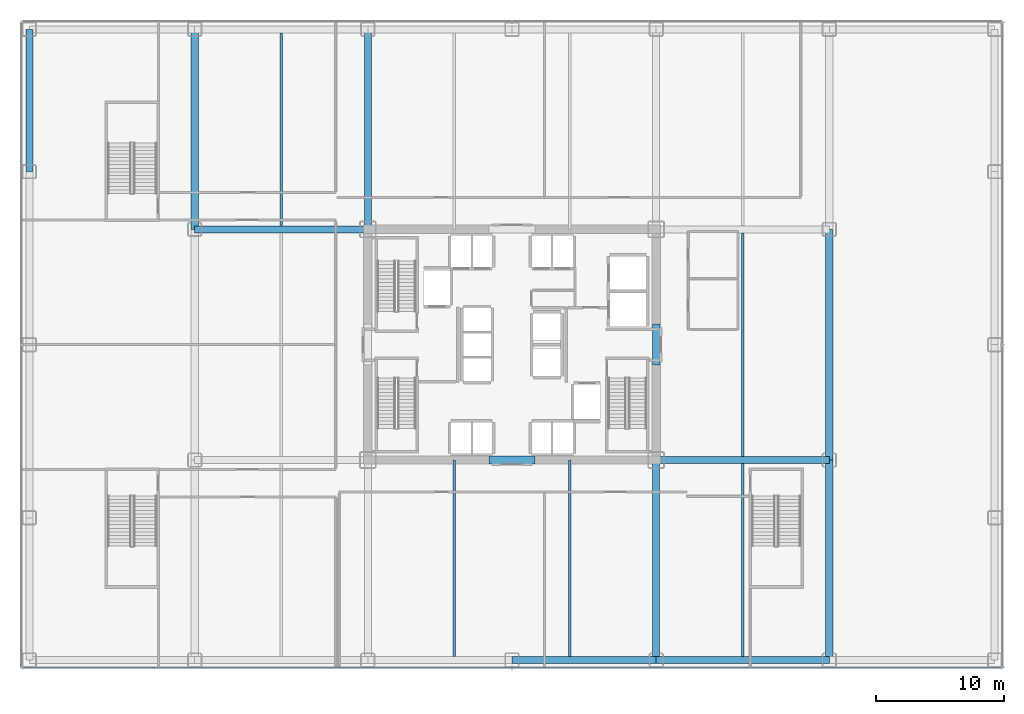
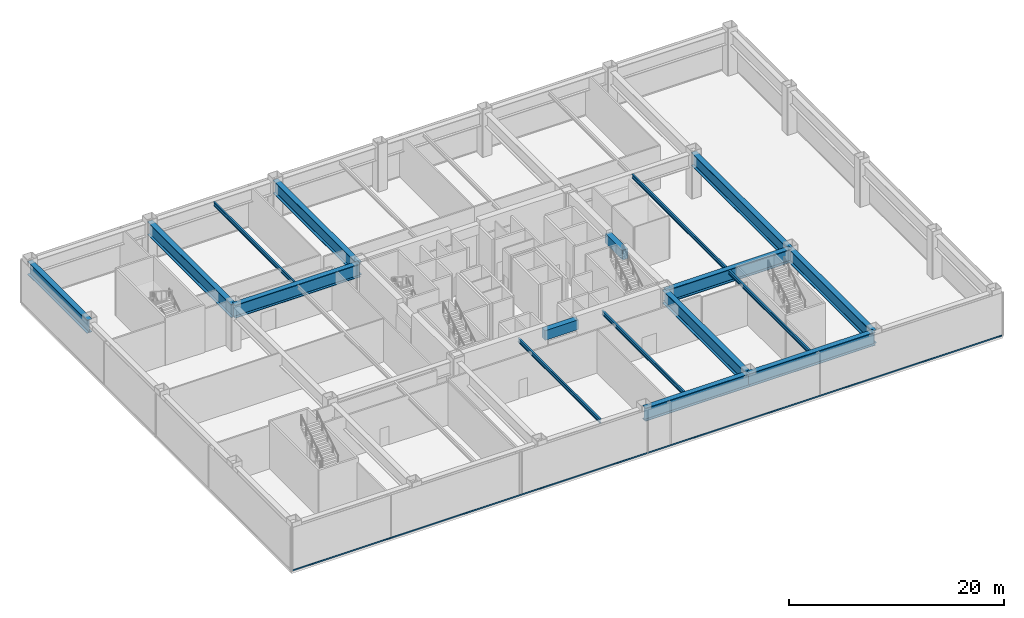
# One storey, part 7 of 24: 17 beams, 1 member, 1 element without a shape of its own.
"""IFC4 building model written with IfcOpenShell, lengths in metres."""

from ifc_helpers import new_model, si_unit, direction, frame, origin, origin_2d, place, context, subcontext, project, spatial, rectangle, hollow_rectangle, i_section, extrude, source, transform, mapped, material, layer, layer_set, material_profile, profile_set, type_object, element, aggregate, save


model = new_model("IFC4")

# Units and contexts
model_context = context("Model", 3, precision=1e-05, world=origin(), true_north=direction((0.0, 1.0)))
body_context = subcontext(model_context, "Body", "Model", "MODEL_VIEW")
ifc_project = project(units=[si_unit("LENGTHUNIT", "METRE"), si_unit("AREAUNIT", "SQUARE_METRE"), si_unit("VOLUMEUNIT", "CUBIC_METRE"), si_unit("PLANEANGLEUNIT", "RADIAN"), si_unit("MASSUNIT", "GRAM", prefix="KILO")], contexts=[model_context])

# Site, building, storey
site_placement = place(None, origin())
site = spatial("IfcSite", under=ifc_project, at=site_placement, CompositionType="ELEMENT")
building_placement = place(site_placement, origin())
building = spatial("IfcBuilding", under=site, at=building_placement, Name="Nefas-Gora Pilgrimage Tower", CompositionType="ELEMENT")
storey_placement = place(building_placement, frame((0.0, 0.0, 22.199951171875)))
storey = spatial("IfcBuildingStorey", under=building, at=storey_placement, Name="L04", CompositionType="ELEMENT", Elevation=22.199951171875)

# Beams
ifc_material_1 = material(Name="Concrete C60/75", Category="concrete")
ifc_material_profile_1 = material_profile(ifc_material_1, rectangle(XDim=0.60009765625, YDim=1.10009765625, at=origin_2d()), Name="RC 600x1100")
ifc_profile_set_1 = profile_set([ifc_material_profile_1], Name="Concrete C60/75")
beam_type_1 = type_object("IfcBeamType", Name="BM-LIN-RC1100", PredefinedType="LINTEL", material=ifc_profile_set_1)
shared_shape_1 = source(origin(), body_context, "Body", "SweptSolid", [
    extrude(rectangle(XDim=0.60009765625, YDim=1.10009765625, at=origin_2d()), origin(), (0.0, 0.0, 1.0), 3.60009765625),
])
beam_1_placement = place(storey_placement, frame((-1.800048828125, -9.0, 4.3701171875), z_axis=(1.0, 0.0, 0.0), x_axis=(0.0, 1.0, 0.0)))
element("IfcBeam", 1, at=beam_1_placement, inside=storey, type_object=beam_type_1, Name="L04 Core Coupling Lintel Beam S", PredefinedType="LINTEL", context=body_context, shape_type="MappedRepresentation", body=[
    mapped(shared_shape_1, transform((0.0, 0.0, 0.0), x_axis=(1.0, 0.0, 0.0), y_axis=(0.0, 1.0, 0.0), z_axis=(0.0, 0.0, 1.0), scale=1.0)),
])
shared_shape_2 = source(origin(), body_context, "Body", "SweptSolid", [
    extrude(rectangle(XDim=0.60009765625, YDim=1.10009765625, at=origin_2d()), origin(), (0.0, 0.0, 1.0), 3.2001953125),
])
beam_2_placement = place(storey_placement, frame((11.25, -1.60009765625, 4.3701171875), z_axis=(0.0, 1.0, 0.0), x_axis=(-1.0, 0.0, 0.0)))
element("IfcBeam", 2, at=beam_2_placement, inside=storey, type_object=beam_type_1, Name="L04 Core Coupling Lintel Beam E", PredefinedType="LINTEL", context=body_context, shape_type="MappedRepresentation", body=[
    mapped(shared_shape_2, transform((0.0, 0.0, 0.0), x_axis=(1.0, 0.0, 0.0), y_axis=(0.0, 1.0, 0.0), z_axis=(0.0, 0.0, 1.0), scale=1.0)),
])
ifc_material_2 = material(Name="Steel S460", Category="steel")
ifc_material_profile_2 = material_profile(ifc_material_2, i_section(OverallWidth=0.550048828125, OverallDepth=1.5, WebThickness=0.031982421875, FlangeThickness=0.06005859375, FilletRadius=0.02392578125, at=origin_2d()), Name="WPG 1500x550x32x60")
ifc_profile_set_2 = profile_set([ifc_material_profile_2], Name="Steel S460")
beam_type_2 = type_object("IfcBeamType", Name="BM-TR-1500E", PredefinedType="BEAM", material=ifc_profile_set_2)
shared_shape_3 = source(origin(), body_context, "Body", "SweptSolid", [
    extrude(i_section(OverallWidth=0.550048828125, OverallDepth=1.5, WebThickness=0.031982421875, FlangeThickness=0.06005859375, FilletRadius=0.02392578125, at=origin_2d()), origin(), (0.0, 0.0, 1.0), 13.5),
])
beam_3_placement = place(storey_placement, frame((11.25, -24.60009765625, 4.170166015625), z_axis=(1.0, 0.0, 0.0), x_axis=(0.0, 1.0, 0.0)))
element("IfcBeam", 3, at=beam_3_placement, inside=storey, type_object=beam_type_2, Name="L04 TB-01E beam", PredefinedType="BEAM", context=body_context, shape_type="MappedRepresentation", body=[
    mapped(shared_shape_3, transform((0.0, 0.0, 0.0), x_axis=(1.0, 0.0, 0.0), y_axis=(0.0, 1.0, 0.0), z_axis=(0.0, 0.0, 1.0), scale=1.0)),
])
shared_shape_4 = source(origin(), body_context, "Body", "SweptSolid", [
    extrude(i_section(OverallWidth=0.550048828125, OverallDepth=1.5, WebThickness=0.031982421875, FlangeThickness=0.06005859375, FilletRadius=0.02392578125, at=origin_2d()), origin(), (0.0, 0.0, 1.0), 11.25),
])
beam_4_placement = place(storey_placement, frame((0.0, -24.60009765625, 4.170166015625), z_axis=(1.0, 0.0, 0.0), x_axis=(0.0, 1.0, 0.0)))
element("IfcBeam", 4, at=beam_4_placement, inside=storey, type_object=beam_type_2, Name="L04 TB-01E beam", PredefinedType="BEAM", context=body_context, shape_type="MappedRepresentation", body=[
    mapped(shared_shape_4, transform((0.0, 0.0, 0.0), x_axis=(1.0, 0.0, 0.0), y_axis=(0.0, 1.0, 0.0), z_axis=(0.0, 0.0, 1.0), scale=1.0)),
])
shared_shape_5 = source(origin(), body_context, "Body", "SweptSolid", [
    extrude(i_section(OverallWidth=0.550048828125, OverallDepth=1.5, WebThickness=0.031982421875, FlangeThickness=0.06005859375, FilletRadius=0.02392578125, at=origin_2d()), origin(), (0.0, 0.0, 1.0), 11.10009765625),
])
beam_5_placement = place(storey_placement, frame((-37.64990234375, 13.5, 4.170166015625), z_axis=(0.0, 1.0, 0.0), x_axis=(-1.0, 0.0, 0.0)))
element("IfcBeam", 5, at=beam_5_placement, inside=storey, type_object=beam_type_2, Name="L04 TB-01E beam", PredefinedType="BEAM", context=body_context, shape_type="MappedRepresentation", body=[
    mapped(shared_shape_5, transform((0.0, 0.0, 0.0), x_axis=(1.0, 0.0, 0.0), y_axis=(0.0, 1.0, 0.0), z_axis=(0.0, 0.0, 1.0), scale=1.0)),
])
ifc_material_profile_3 = material_profile(ifc_material_2, i_section(OverallWidth=0.550048828125, OverallDepth=1.5, WebThickness=0.031982421875, FlangeThickness=0.06005859375, FilletRadius=0.02392578125, at=origin_2d()), Name="WPG 1500x550x32x60")
ifc_profile_set_3 = profile_set([ifc_material_profile_3], Name="Steel S460")
beam_type_3 = type_object("IfcBeamType", Name="BM-TR-1500", PredefinedType="BEAM", material=ifc_profile_set_3)
shared_shape_6 = source(origin(), body_context, "Body", "SweptSolid", [
    extrude(i_section(OverallWidth=0.550048828125, OverallDepth=1.5, WebThickness=0.031982421875, FlangeThickness=0.06005859375, FilletRadius=0.02392578125, at=origin_2d()), origin(), (0.0, 0.0, 1.0), 13.5),
])
for number, where, z_axis, x_axis, name in (
    (6, (11.25, -9.0, 4.170166015625), (1.0, 0.0, 0.0), (0.0, 1.0, 0.0), "L04 TB-01 beam"),
    (7, (-24.75, 9.0, 4.170166015625), (1.0, 0.0, 0.0), (0.0, 1.0, 0.0), "L04 TB-01 beam"),
):
    element("IfcBeam", number, at=place(storey_placement, frame(where, z_axis=z_axis, x_axis=x_axis)), inside=storey, type_object=beam_type_3, Name=name, PredefinedType="BEAM", context=body_context, shape_type="MappedRepresentation", body=[
        mapped(shared_shape_6, transform((0.0, 0.0, 0.0), x_axis=(1.0, 0.0, 0.0), y_axis=(0.0, 1.0, 0.0), z_axis=(0.0, 0.0, 1.0), scale=1.0)),
    ])
shared_shape_7 = source(origin(), body_context, "Body", "SweptSolid", [
    extrude(i_section(OverallWidth=0.550048828125, OverallDepth=1.5, WebThickness=0.031982421875, FlangeThickness=0.06005859375, FilletRadius=0.02392578125, at=origin_2d()), origin(), (0.0, 0.0, 1.0), 15.60009765625),
])
for number, where, z_axis, x_axis, name in (
    (8, (-24.75, 9.0, 4.170166015625), (0.0, 1.0, 0.0), (-1.0, 0.0, 0.0), "L04 TB-01 beam"),
    (9, (-11.25, 9.0, 4.170166015625), (0.0, 1.0, 0.0), (-1.0, 0.0, 0.0), "L04 TB-01 beam"),
    (10, (11.25, -24.60009765625, 4.170166015625), (0.0, 1.0, 0.0), (-1.0, 0.0, 0.0), "L04 TB-01 beam"),
    (11, (24.75, -24.60009765625, 4.170166015625), (0.0, 1.0, 0.0), (-1.0, 0.0, 0.0), "L04 TB-01 beam"),
):
    element("IfcBeam", number, at=place(storey_placement, frame(where, z_axis=z_axis, x_axis=x_axis)), inside=storey, type_object=beam_type_3, Name=name, PredefinedType="BEAM", context=body_context, shape_type="MappedRepresentation", body=[
        mapped(shared_shape_7, transform((0.0, 0.0, 0.0), x_axis=(1.0, 0.0, 0.0), y_axis=(0.0, 1.0, 0.0), z_axis=(0.0, 0.0, 1.0), scale=1.0)),
    ])
shared_shape_8 = source(origin(), body_context, "Body", "SweptSolid", [
    extrude(i_section(OverallWidth=0.550048828125, OverallDepth=1.5, WebThickness=0.031982421875, FlangeThickness=0.06005859375, FilletRadius=0.02392578125, at=origin_2d()), origin(), (0.0, 0.0, 1.0), 18.0),
])
beam_6_placement = place(storey_placement, frame((24.75, -9.0, 4.170166015625), z_axis=(0.0, 1.0, 0.0), x_axis=(-1.0, 0.0, 0.0)))
element("IfcBeam", 12, at=beam_6_placement, inside=storey, type_object=beam_type_3, Name="L04 TB-01 beam", PredefinedType="BEAM", context=body_context, shape_type="MappedRepresentation", body=[
    mapped(shared_shape_8, transform((0.0, 0.0, 0.0), x_axis=(1.0, 0.0, 0.0), y_axis=(0.0, 1.0, 0.0), z_axis=(0.0, 0.0, 1.0), scale=1.0)),
])
ifc_material_3 = material(Name="Steel S355", Category="steel")
ifc_material_profile_4 = material_profile(ifc_material_3, i_section(OverallWidth=0.18994140625, OverallDepth=0.449951171875, WebThickness=0.009521484375, FlangeThickness=0.0146484375, FilletRadius=0.02099609375, at=origin_2d()), Name="IPE 450")
ifc_profile_set_4 = profile_set([ifc_material_profile_4], Name="Steel S355")
beam_type_4 = type_object("IfcBeamType", Name="BM-JST-IPE450", PredefinedType="JOIST", material=ifc_profile_set_4)
shared_shape_9 = source(origin(), body_context, "Body", "SweptSolid", [
    extrude(i_section(OverallWidth=0.18994140625, OverallDepth=0.449951171875, WebThickness=0.009521484375, FlangeThickness=0.0146484375, FilletRadius=0.02099609375, at=origin_2d()), origin(), (0.0, 0.0, 1.0), 15.0380859375),
])
for number, where, z_axis, x_axis, name in (
    (13, (-18.0, 9.281005859375, 4.695068359375), (0.0, 1.0, 0.0), (-1.0, 0.0, 0.0), "L04 J-01 beam"),
    (14, (18.0, -24.319091796875, 4.695068359375), (0.0, 1.0, 0.0), (-1.0, 0.0, 0.0), "L04 J-01 beam"),
):
    element("IfcBeam", number, at=place(storey_placement, frame(where, z_axis=z_axis, x_axis=x_axis)), inside=storey, type_object=beam_type_4, Name=name, PredefinedType="JOIST", context=body_context, shape_type="MappedRepresentation", body=[
        mapped(shared_shape_9, transform((0.0, 0.0, 0.0), x_axis=(1.0, 0.0, 0.0), y_axis=(0.0, 1.0, 0.0), z_axis=(0.0, 0.0, 1.0), scale=1.0)),
    ])
shared_shape_10 = source(origin(), body_context, "Body", "SweptSolid", [
    extrude(i_section(OverallWidth=0.18994140625, OverallDepth=0.449951171875, WebThickness=0.009521484375, FlangeThickness=0.0146484375, FilletRadius=0.02099609375, at=origin_2d()), origin(), (0.0, 0.0, 1.0), 15.319091796875),
])
for number, where, z_axis, x_axis, name in (
    (15, (-4.5, -24.319091796875, 4.695068359375), (0.0, 1.0, 0.0), (-1.0, 0.0, 0.0), "L04 J-01 beam"),
    (16, (4.5, -24.319091796875, 4.695068359375), (0.0, 1.0, 0.0), (-1.0, 0.0, 0.0), "L04 J-01 beam"),
):
    element("IfcBeam", number, at=place(storey_placement, frame(where, z_axis=z_axis, x_axis=x_axis)), inside=storey, type_object=beam_type_4, Name=name, PredefinedType="JOIST", context=body_context, shape_type="MappedRepresentation", body=[
        mapped(shared_shape_10, transform((0.0, 0.0, 0.0), x_axis=(1.0, 0.0, 0.0), y_axis=(0.0, 1.0, 0.0), z_axis=(0.0, 0.0, 1.0), scale=1.0)),
    ])
shared_shape_11 = source(origin(), body_context, "Body", "SweptSolid", [
    extrude(i_section(OverallWidth=0.18994140625, OverallDepth=0.449951171875, WebThickness=0.009521484375, FlangeThickness=0.0146484375, FilletRadius=0.02099609375, at=origin_2d()), origin(), (0.0, 0.0, 1.0), 17.43798828125),
])
beam_7_placement = place(storey_placement, frame((18.0, -8.718994140625, 4.695068359375), z_axis=(0.0, 1.0, 0.0), x_axis=(-1.0, 0.0, 0.0)))
element("IfcBeam", 17, at=beam_7_placement, inside=storey, type_object=beam_type_4, Name="L04 J-01 beam", PredefinedType="JOIST", context=body_context, shape_type="MappedRepresentation", body=[
    mapped(shared_shape_11, transform((0.0, 0.0, 0.0), x_axis=(1.0, 0.0, 0.0), y_axis=(0.0, 1.0, 0.0), z_axis=(0.0, 0.0, 1.0), scale=1.0)),
])

# Curtain wall, member
ifc_material_4 = material(Name="Dark ceramic-fritted solar-control aluminium-glass curtain wall", Category="aluminium")
ifc_layer = layer(ifc_material_4, 0.219970703125)
ifc_layer_set = layer_set([ifc_layer], Name="Dark ceramic-fritted solar-control aluminium-glass curtain wall")
curtain_wall_type = type_object("IfcCurtainWallType", Name="CW-SYS-1", PredefinedType="NOTDEFINED", material=ifc_layer_set)
curtain_wall_placement = place(storey_placement, origin())
curtain_wall = element("IfcCurtainWall", 18, at=curtain_wall_placement, inside=storey, type_object=curtain_wall_type, Name="L04 Unitised Curtain Wall CW1", PredefinedType="NOTDEFINED")
ifc_material_5 = material(Name="Anodised architectural aluminium", Category="aluminium")
ifc_material_profile_5 = material_profile(ifc_material_5, hollow_rectangle(XDim=0.080078125, YDim=0.159912109375, WallThickness=0.00439453125, InnerFilletRadius=0.00439453125, OuterFilletRadius=0.009033203125, at=origin_2d()), Name="ALU TRANSOM 80x160")
ifc_profile_set_5 = profile_set([ifc_material_profile_5], Name="Anodised architectural aluminium")
member_type = type_object("IfcMemberType", Name="CWM-TRN-1", PredefinedType="USERDEFINED", material=ifc_profile_set_5)
shared_shape_12 = source(origin(), body_context, "Body", "SweptSolid", [
    extrude(hollow_rectangle(XDim=0.080078125, YDim=0.159912109375, WallThickness=0.00439453125, InnerFilletRadius=0.00439453125, OuterFilletRadius=0.009033203125, at=origin_2d()), origin(), (0.0, 0.0, 1.0), 76.31982421875),
])
member_placement = place(storey_placement, frame((-38.159912109375, -25.199951171875, 0.050048828125), z_axis=(1.0, 0.0, 0.0), x_axis=(0.0, 1.0, 0.0)))
member = element("IfcMember", 19, at=member_placement, type_object=member_type, Name="CW1 Spandrel Transom", ObjectType="TRANSOM", PredefinedType="USERDEFINED", context=body_context, shape_type="MappedRepresentation", body=[
    mapped(shared_shape_12, transform((0.0, 0.0, 0.0), x_axis=(1.0, 0.0, 0.0), y_axis=(0.0, 1.0, 0.0), z_axis=(0.0, 0.0, 1.0), scale=1.0)),
])
aggregate(curtain_wall, [member])

save(model, "model.ifc")
